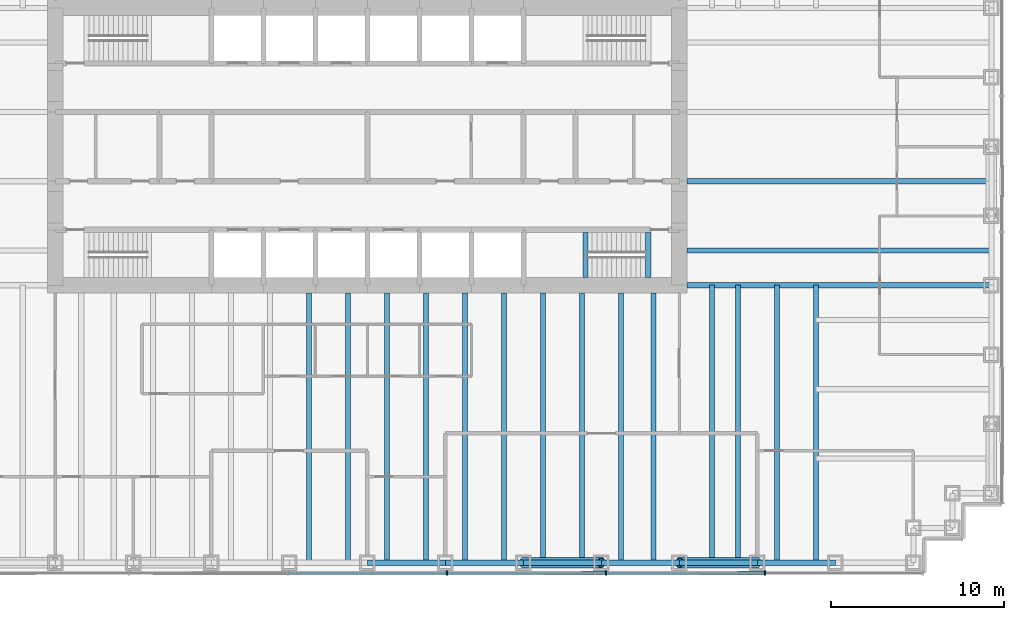
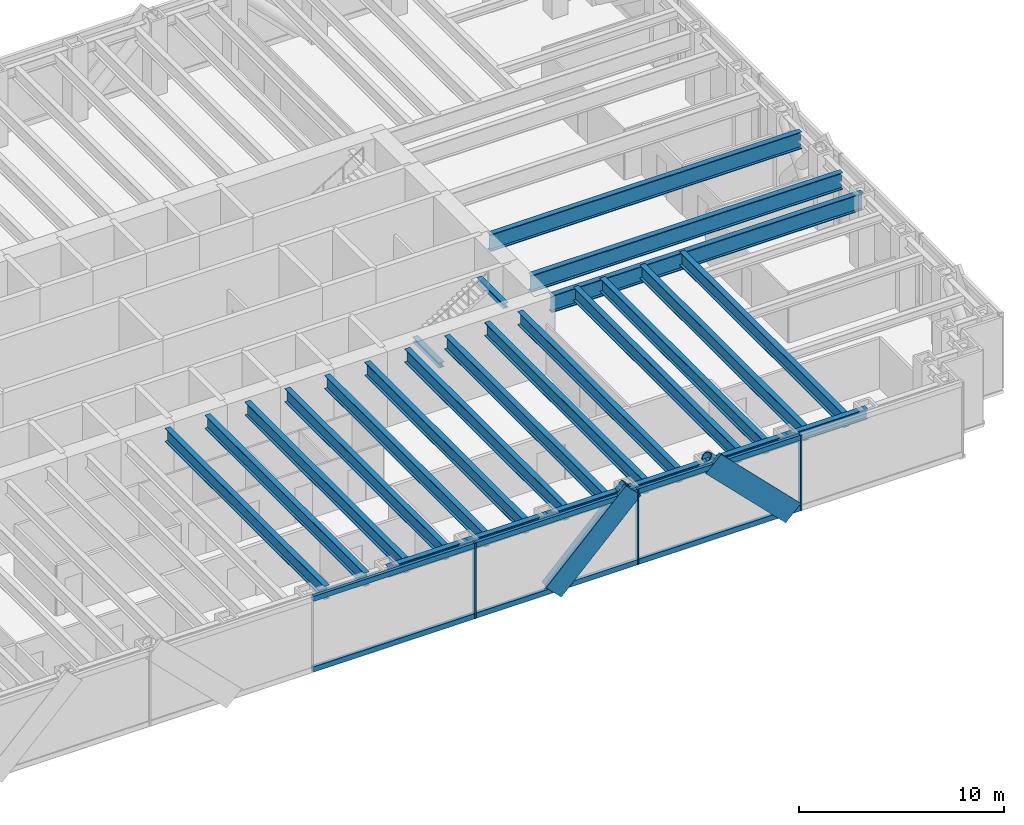
# One storey, part 3 of 13: 25 beams, 13 members, 1 element without a shape of its own.
"""IFC4 building model written with IfcOpenShell, lengths in metres."""

from ifc_helpers import new_model, si_unit, direction, frame, origin, origin_2d, place, context, subcontext, project, spatial, rectangle, hollow_circle, i_section, extrude, material, material_profile, profile_set, type_object, element, aggregate, save


model = new_model("IFC4")

# Units and contexts
model_context = context("Model", 3, precision=1e-05, world=origin(), true_north=direction((0.0, 1.0)))
body_context = subcontext(model_context, "Body", "Model", "MODEL_VIEW")
ifc_project = project(units=[si_unit("LENGTHUNIT", "METRE"), si_unit("AREAUNIT", "SQUARE_METRE"), si_unit("VOLUMEUNIT", "CUBIC_METRE"), si_unit("PLANEANGLEUNIT", "RADIAN"), si_unit("MASSUNIT", "GRAM", prefix="KILO")], contexts=[model_context])

# Site, building, storey
site_placement = place(None, origin())
site = spatial("IfcSite", under=ifc_project, at=site_placement, CompositionType="ELEMENT")
building_placement = place(site_placement, origin())
building = spatial("IfcBuilding", under=site, at=building_placement, Name="Rheinbord Bourse Tower", CompositionType="ELEMENT")
storey_placement = place(building_placement, frame((0.0, 0.0, 41.0)))
storey = spatial("IfcBuildingStorey", under=building, at=storey_placement, Name="L08", CompositionType="ELEMENT", Elevation=41.0)

# Curtain wall, members
ifc_material_1 = material(Name="Dark glass and black aluminium", Category="aluminium")
curtain_wall_type = type_object("IfcCurtainWallType", Name="CW1 DARK GLASS CURTAIN WALL", PredefinedType="USERDEFINED", material=ifc_material_1)
curtain_wall_placement = place(storey_placement, origin())
curtain_wall = element("IfcCurtainWall", 1, at=curtain_wall_placement, inside=storey, type_object=curtain_wall_type, Name="Curtain wall CW1 S L08", ObjectType="UNITISED CURTAIN WALL", PredefinedType="USERDEFINED")
ifc_material_2 = material(Name="Black anodised aluminium", Category="aluminium")
ifc_material_profile_1 = material_profile(ifc_material_2, rectangle(XDim=0.179931640625, YDim=1.2099609375, at=origin_2d()), Name="CW1 DIAGONAL MULLION 1210x180")
ifc_profile_set_1 = profile_set([ifc_material_profile_1], Name="Black anodised aluminium")
member_type_1 = type_object("IfcMemberType", Name="CW1 BLACK DIAGONAL MULLION", PredefinedType="USERDEFINED", material=ifc_profile_set_1)
member_1_placement = place(storey_placement, frame((45.0, -0.60009765625, 0.0), z_axis=(0.707106781187, 0.0, 0.707106781187), x_axis=(0.0, 1.0, 0.0)))
member_1 = element("IfcMember", 2, at=member_1_placement, type_object=member_type_1, Name="CW1 diagonal mullion a", ObjectType="DIAGONAL MULLION", PredefinedType="USERDEFINED", context=body_context, shape_type="SweptSolid", body=[
    extrude(rectangle(XDim=0.179931640625, YDim=1.2099609375, at=origin_2d()), origin(), (0.0, 0.0, 1.0), 6.364013671875),
])
member_2_placement = place(storey_placement, frame((58.5, -0.60009765625, 0.0), z_axis=(-0.707106781187, 0.0, 0.707106781187), x_axis=(0.0, -1.0, 0.0)))
member_2 = element("IfcMember", 3, at=member_2_placement, type_object=member_type_1, Name="CW1 diagonal mullion c", ObjectType="DIAGONAL MULLION", PredefinedType="USERDEFINED", context=body_context, shape_type="SweptSolid", body=[
    extrude(rectangle(XDim=0.179931640625, YDim=1.2099609375, at=origin_2d()), origin(), (0.0, 0.0, 1.0), 6.364013671875),
])
ifc_material_3 = material(Name="Black anodised aluminium", Category="aluminium")
ifc_material_profile_2 = material_profile(ifc_material_3, rectangle(XDim=0.25, YDim=0.080078125, at=origin_2d()), Name="CW1 MULLION 80x250")
ifc_profile_set_2 = profile_set([ifc_material_profile_2], Name="Black anodised aluminium")
member_type_2 = type_object("IfcMemberType", Name="CW1 BLACK MULLION", PredefinedType="MULLION", material=ifc_profile_set_2)
member_3_placement = place(storey_placement, frame((40.585693359375, -0.60009765625, 0.0), z_axis=(0.0, 0.0, 1.0), x_axis=(0.0, 1.0, 0.0)))
member_3 = element("IfcMember", 4, at=member_3_placement, type_object=member_type_2, Name="CW1 mullion 5", PredefinedType="MULLION", context=body_context, shape_type="SweptSolid", body=[
    extrude(rectangle(XDim=0.25, YDim=0.080078125, at=origin_2d()), origin(), (0.0, 0.0, 1.0), 4.5),
])
member_4_placement = place(storey_placement, frame((49.757080078125, -0.60009765625, 0.0), z_axis=(0.0, 0.0, 1.0), x_axis=(0.0, 1.0, 0.0)))
member_4 = element("IfcMember", 5, at=member_4_placement, type_object=member_type_2, Name="CW1 mullion 6", PredefinedType="MULLION", context=body_context, shape_type="SweptSolid", body=[
    extrude(rectangle(XDim=0.25, YDim=0.080078125, at=origin_2d()), origin(), (0.0, 0.0, 1.0), 4.5),
])
member_5_placement = place(storey_placement, frame((58.928466796875, -0.60009765625, 0.0), z_axis=(0.0, 0.0, 1.0), x_axis=(0.0, 1.0, 0.0)))
member_5 = element("IfcMember", 6, at=member_5_placement, type_object=member_type_2, Name="CW1 mullion 7", PredefinedType="MULLION", context=body_context, shape_type="SweptSolid", body=[
    extrude(rectangle(XDim=0.25, YDim=0.080078125, at=origin_2d()), origin(), (0.0, 0.0, 1.0), 4.5),
])
ifc_material_4 = material(Name="Black anodised aluminium", Category="aluminium")
ifc_material_profile_3 = material_profile(ifc_material_4, rectangle(XDim=0.179931640625, YDim=0.300048828125, at=origin_2d()), Name="CW1 TRANSOM 300x180")
ifc_profile_set_3 = profile_set([ifc_material_profile_3], Name="Black anodised aluminium")
member_type_3 = type_object("IfcMemberType", Name="CW1 BLACK TRANSOM", PredefinedType="USERDEFINED", material=ifc_profile_set_3)
member_6_placement = place(storey_placement, frame((31.454345703125, -0.60009765625, 0.14990234375), z_axis=(1.0, 0.0, 0.0), x_axis=(0.0, 1.0, 0.0)))
member_6 = element("IfcMember", 7, at=member_6_placement, type_object=member_type_3, Name="CW1 transom 4.1", ObjectType="TRANSOM", PredefinedType="USERDEFINED", context=body_context, shape_type="SweptSolid", body=[
    extrude(rectangle(XDim=0.179931640625, YDim=0.300048828125, at=origin_2d()), origin(), (0.0, 0.0, 1.0), 9.09130859375),
])
member_7_placement = place(storey_placement, frame((31.454345703125, -0.60009765625, 4.35009765625), z_axis=(1.0, 0.0, 0.0), x_axis=(0.0, 1.0, 0.0)))
member_7 = element("IfcMember", 8, at=member_7_placement, type_object=member_type_3, Name="CW1 transom 4.2", ObjectType="TRANSOM", PredefinedType="USERDEFINED", context=body_context, shape_type="SweptSolid", body=[
    extrude(rectangle(XDim=0.179931640625, YDim=0.300048828125, at=origin_2d()), origin(), (0.0, 0.0, 1.0), 9.09130859375),
])
member_8_placement = place(storey_placement, frame((40.625732421875, -0.60009765625, 0.14990234375), z_axis=(1.0, 0.0, 0.0), x_axis=(0.0, 1.0, 0.0)))
member_8 = element("IfcMember", 9, at=member_8_placement, type_object=member_type_3, Name="CW1 transom 5.1", ObjectType="TRANSOM", PredefinedType="USERDEFINED", context=body_context, shape_type="SweptSolid", body=[
    extrude(rectangle(XDim=0.179931640625, YDim=0.300048828125, at=origin_2d()), origin(), (0.0, 0.0, 1.0), 9.09130859375),
])
member_9_placement = place(storey_placement, frame((40.625732421875, -0.60009765625, 4.35009765625), z_axis=(1.0, 0.0, 0.0), x_axis=(0.0, 1.0, 0.0)))
member_9 = element("IfcMember", 10, at=member_9_placement, type_object=member_type_3, Name="CW1 transom 5.2", ObjectType="TRANSOM", PredefinedType="USERDEFINED", context=body_context, shape_type="SweptSolid", body=[
    extrude(rectangle(XDim=0.179931640625, YDim=0.300048828125, at=origin_2d()), origin(), (0.0, 0.0, 1.0), 9.09130859375),
])
member_10_placement = place(storey_placement, frame((49.797119140625, -0.60009765625, 0.14990234375), z_axis=(1.0, 0.0, 0.0), x_axis=(0.0, 1.0, 0.0)))
member_10 = element("IfcMember", 11, at=member_10_placement, type_object=member_type_3, Name="CW1 transom 6.1", ObjectType="TRANSOM", PredefinedType="USERDEFINED", context=body_context, shape_type="SweptSolid", body=[
    extrude(rectangle(XDim=0.179931640625, YDim=0.300048828125, at=origin_2d()), origin(), (0.0, 0.0, 1.0), 9.091552734375),
])
member_11_placement = place(storey_placement, frame((49.797119140625, -0.60009765625, 4.35009765625), z_axis=(1.0, 0.0, 0.0), x_axis=(0.0, 1.0, 0.0)))
member_11 = element("IfcMember", 12, at=member_11_placement, type_object=member_type_3, Name="CW1 transom 6.2", ObjectType="TRANSOM", PredefinedType="USERDEFINED", context=body_context, shape_type="SweptSolid", body=[
    extrude(rectangle(XDim=0.179931640625, YDim=0.300048828125, at=origin_2d()), origin(), (0.0, 0.0, 1.0), 9.091552734375),
])
aggregate(curtain_wall, [member_3, member_4, member_5, member_6, member_7, member_8, member_9, member_10, member_11, member_1, member_2])

# Beams
ifc_material_5 = material(Name="Steel S460", Category="steel")
ifc_material_profile_4 = material_profile(ifc_material_5, i_section(OverallWidth=0.302001953125, OverallDepth=1.008056640625, WebThickness=0.02099609375, FlangeThickness=0.0400390625, at=origin_2d()), Name="HEM 1000")
ifc_profile_set_4 = profile_set([ifc_material_profile_4], Name="Steel S460")
beam_type_1 = type_object("IfcBeamType", Name="END BEAM HEM 1000", PredefinedType="BEAM", material=ifc_profile_set_4)
for number, where, z_axis, x_axis, name in (
    (13, (54.449951171875, 18.0, 3.81591796875), (1.0, 0.0, 0.0), (0.0, 1.0, 0.0), "End beam east 18 L09"),
    (14, (54.449951171875, 22.0, 3.81591796875), (1.0, 0.0, 0.0), (0.0, 1.0, 0.0), "End beam east 22 L09"),
):
    element("IfcBeam", number, at=place(storey_placement, frame(where, z_axis=z_axis, x_axis=x_axis)), inside=storey, type_object=beam_type_1, Name=name, PredefinedType="BEAM", context=body_context, shape_type="SweptSolid", body=[
        extrude(i_section(OverallWidth=0.302001953125, OverallDepth=1.008056640625, WebThickness=0.02099609375, FlangeThickness=0.0400390625, at=origin_2d()), origin(), (0.0, 0.0, 1.0), 17.550048828125),
    ])
ifc_material_6 = material(Name="Steel S460", Category="steel")
ifc_material_profile_5 = material_profile(ifc_material_6, i_section(OverallWidth=0.300048828125, OverallDepth=0.800048828125, WebThickness=0.017578125, FlangeThickness=0.032958984375, at=origin_2d()), Name="HEB 800")
ifc_profile_set_5 = profile_set([ifc_material_profile_5], Name="Steel S460")
beam_type_2 = type_object("IfcBeamType", Name="FLOOR BEAM HEB 800", PredefinedType="BEAM", material=ifc_profile_set_5)
for number, where, z_axis, x_axis, name in (
    (15, (32.625, 0.0, 3.919921875), (0.0, 1.0, 0.0), (-1.0, 0.0, 0.0), "Floor beam S-31.5a L09"),
    (16, (34.875, 0.0, 3.919921875), (0.0, 1.0, 0.0), (-1.0, 0.0, 0.0), "Floor beam S-31.5b L09"),
    (17, (37.125, 0.0, 3.919921875), (0.0, 1.0, 0.0), (-1.0, 0.0, 0.0), "Floor beam S-36a L09"),
    (18, (39.375, 0.0, 3.919921875), (0.0, 1.0, 0.0), (-1.0, 0.0, 0.0), "Floor beam S-36b L09"),
    (19, (41.625, 0.0, 3.919921875), (0.0, 1.0, 0.0), (-1.0, 0.0, 0.0), "Floor beam S-40.5a L09"),
    (20, (43.875, 0.0, 3.919921875), (0.0, 1.0, 0.0), (-1.0, 0.0, 0.0), "Floor beam S-40.5b L09"),
    (21, (46.125, 0.0, 3.919921875), (0.0, 1.0, 0.0), (-1.0, 0.0, 0.0), "Floor beam S-45a L09"),
    (22, (48.375, 0.0, 3.919921875), (0.0, 1.0, 0.0), (-1.0, 0.0, 0.0), "Floor beam S-45b L09"),
    (23, (50.625, 0.0, 3.919921875), (0.0, 1.0, 0.0), (-1.0, 0.0, 0.0), "Floor beam S-49.5a L09"),
    (24, (52.5, 0.0, 3.919921875), (0.0, 1.0, 0.0), (-1.0, 0.0, 0.0), "Floor beam S-49.5b L09"),
):
    element("IfcBeam", number, at=place(storey_placement, frame(where, z_axis=z_axis, x_axis=x_axis)), inside=storey, type_object=beam_type_2, Name=name, PredefinedType="BEAM", context=body_context, shape_type="SweptSolid", body=[
        extrude(i_section(OverallWidth=0.300048828125, OverallDepth=0.800048828125, WebThickness=0.017578125, FlangeThickness=0.032958984375, at=origin_2d()), origin(), (0.0, 0.0, 1.0), 15.550048828125),
    ])
for number, where, z_axis, x_axis, name in (
    (25, (55.875, 0.0, 3.919921875), (0.0, 1.0, 0.0), (-1.0, 0.0, 0.0), "Floor beam S-54a L09"),
    (26, (57.375, 0.0, 3.919921875), (0.0, 1.0, 0.0), (-1.0, 0.0, 0.0), "Floor beam S-54b L09"),
    (27, (59.625, 0.0, 3.919921875), (0.0, 1.0, 0.0), (-1.0, 0.0, 0.0), "Floor beam S-58.5a L09"),
    (28, (61.875, 0.0, 3.919921875), (0.0, 1.0, 0.0), (-1.0, 0.0, 0.0), "Floor beam S-58.5b L09"),
):
    element("IfcBeam", number, at=place(storey_placement, frame(where, z_axis=z_axis, x_axis=x_axis)), inside=storey, type_object=beam_type_2, Name=name, PredefinedType="BEAM", context=body_context, shape_type="SweptSolid", body=[
        extrude(i_section(OverallWidth=0.300048828125, OverallDepth=0.800048828125, WebThickness=0.017578125, FlangeThickness=0.032958984375, at=origin_2d()), origin(), (0.0, 0.0, 1.0), 16.0),
    ])
ifc_material_7 = material(Name="Steel S460", Category="steel")
ifc_material_profile_6 = material_profile(ifc_material_7, i_section(OverallWidth=0.302001953125, OverallDepth=1.008056640625, WebThickness=0.02099609375, FlangeThickness=0.0400390625, at=origin_2d()), Name="HEM 1000")
ifc_profile_set_6 = profile_set([ifc_material_profile_6], Name="Steel S460")
beam_type_3 = type_object("IfcBeamType", Name="GIRDER HEM 1000", PredefinedType="BEAM", material=ifc_profile_set_6)
beam_placement = place(storey_placement, frame((54.449951171875, 16.0, 3.81591796875), z_axis=(1.0, 0.0, 0.0), x_axis=(0.0, 1.0, 0.0)))
element("IfcBeam", 29, at=beam_placement, inside=storey, type_object=beam_type_3, Name="Girder east 16 L09", PredefinedType="BEAM", context=body_context, shape_type="SweptSolid", body=[
    extrude(i_section(OverallWidth=0.302001953125, OverallDepth=1.008056640625, WebThickness=0.02099609375, FlangeThickness=0.0400390625, at=origin_2d()), origin(), (0.0, 0.0, 1.0), 17.550048828125),
])
ifc_material_8 = material(Name="Steel S460", Category="steel")
ifc_material_profile_7 = material_profile(ifc_material_8, i_section(OverallWidth=0.300048828125, OverallDepth=0.300048828125, WebThickness=0.010986328125, FlangeThickness=0.01904296875, at=origin_2d()), Name="HEB 300")
ifc_profile_set_7 = profile_set([ifc_material_profile_7], Name="Steel S460")
beam_type_4 = type_object("IfcBeamType", Name="LANDING TRIMMER HEB 300", PredefinedType="BEAM", material=ifc_profile_set_7)
for number, where, z_axis, x_axis, name in (
    (30, (48.590087890625, 16.449951171875, 1.89990234375), (0.0, 1.0, 0.0), (-1.0, 0.0, 0.0), "Landing trimmer ST3 L08"),
    (31, (52.199951171875, 16.449951171875, 4.169921875), (0.0, 1.0, 0.0), (-1.0, 0.0, 0.0), "Well trimmer ST3 under L09"),
):
    element("IfcBeam", number, at=place(storey_placement, frame(where, z_axis=z_axis, x_axis=x_axis)), inside=storey, type_object=beam_type_4, Name=name, PredefinedType="BEAM", context=body_context, shape_type="SweptSolid", body=[
        extrude(i_section(OverallWidth=0.300048828125, OverallDepth=0.300048828125, WebThickness=0.010986328125, FlangeThickness=0.01904296875, at=origin_2d()), origin(), (0.0, 0.0, 1.0), 2.60009765625),
    ])

# Members
ifc_material_9 = material(Name="Steel S460", Category="steel")
ifc_material_profile_8 = material_profile(ifc_material_9, hollow_circle(Radius=0.304931640625, WallThickness=0.050048828125, at=origin_2d()), Name="CHS 610x50")
ifc_profile_set_8 = profile_set([ifc_material_profile_8], Name="Steel S460")
member_type_4 = type_object("IfcMemberType", Name="MEGABRACE CHS 610x50", PredefinedType="BRACE", material=ifc_profile_set_8)
for number, where, z_axis, x_axis, name in (
    (32, (45.0, 0.0, 0.0), (0.707106781187, 0.0, 0.707106781187), (0.0, 1.0, 0.0), "Megabrace S face line a L08"),
    (33, (58.5, 0.0, 0.0), (-0.707106781187, 0.0, 0.707106781187), (0.0, -1.0, 0.0), "Megabrace S face line c L08"),
):
    element("IfcMember", number, at=place(storey_placement, frame(where, z_axis=z_axis, x_axis=x_axis)), inside=storey, type_object=member_type_4, Name=name, PredefinedType="BRACE", context=body_context, shape_type="SweptSolid", body=[
        extrude(hollow_circle(Radius=0.304931640625, WallThickness=0.050048828125, at=origin_2d()), origin(), (0.0, 0.0, 1.0), 6.364013671875),
    ])

# Beams
ifc_material_10 = material(Name="Steel S460", Category="steel")
ifc_material_profile_9 = material_profile(ifc_material_10, i_section(OverallWidth=0.304931640625, OverallDepth=0.6201171875, WebThickness=0.02099609375, FlangeThickness=0.0400390625, at=origin_2d()), Name="HEM 600")
ifc_profile_set_9 = profile_set([ifc_material_profile_9], Name="Steel S460")
beam_type_5 = type_object("IfcBeamType", Name="SPANDREL HEM 600", PredefinedType="SPANDREL", material=ifc_profile_set_9)
for number, where, z_axis, x_axis, name in (
    (34, (36.0, 0.0, 4.010009765625), (1.0, 0.0, 0.0), (0.0, 1.0, 0.0), "Spandrel S-36-S-40.5 under L09"),
    (35, (40.5, 0.0, 4.010009765625), (1.0, 0.0, 0.0), (0.0, 1.0, 0.0), "Spandrel S-40.5-S-45 under L09"),
    (36, (45.0, 0.0, 4.010009765625), (1.0, 0.0, 0.0), (0.0, 1.0, 0.0), "Spandrel S-45-S-49.5 under L09"),
    (37, (49.5, 0.0, 4.010009765625), (1.0, 0.0, 0.0), (0.0, 1.0, 0.0), "Spandrel S-49.5-S-54 under L09"),
    (38, (54.0, 0.0, 4.010009765625), (1.0, 0.0, 0.0), (0.0, 1.0, 0.0), "Spandrel S-54-S-58.5 under L09"),
    (39, (58.5, 0.0, 4.010009765625), (1.0, 0.0, 0.0), (0.0, 1.0, 0.0), "Spandrel S-58.5-S-63 under L09"),
):
    element("IfcBeam", number, at=place(storey_placement, frame(where, z_axis=z_axis, x_axis=x_axis)), inside=storey, type_object=beam_type_5, Name=name, PredefinedType="SPANDREL", context=body_context, shape_type="SweptSolid", body=[
        extrude(i_section(OverallWidth=0.304931640625, OverallDepth=0.6201171875, WebThickness=0.02099609375, FlangeThickness=0.0400390625, at=origin_2d()), origin(), (0.0, 0.0, 1.0), 4.5),
    ])

save(model, "model.ifc")
